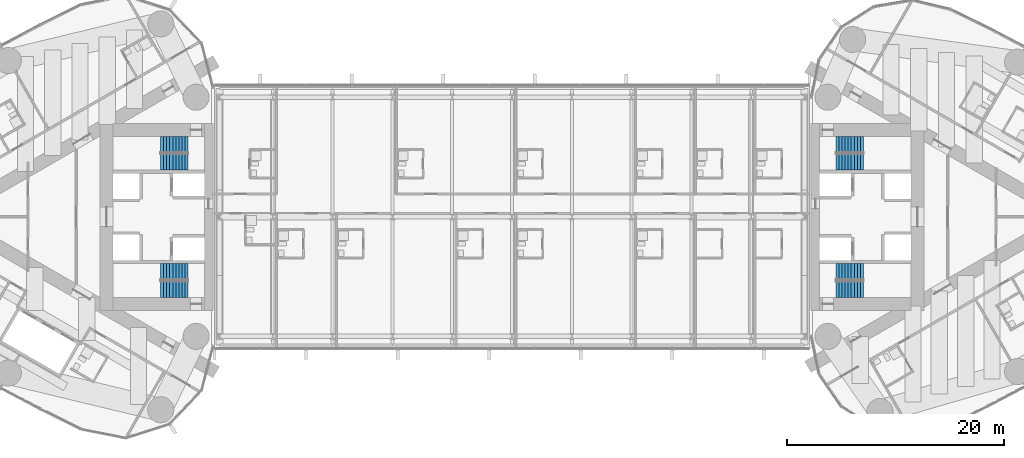
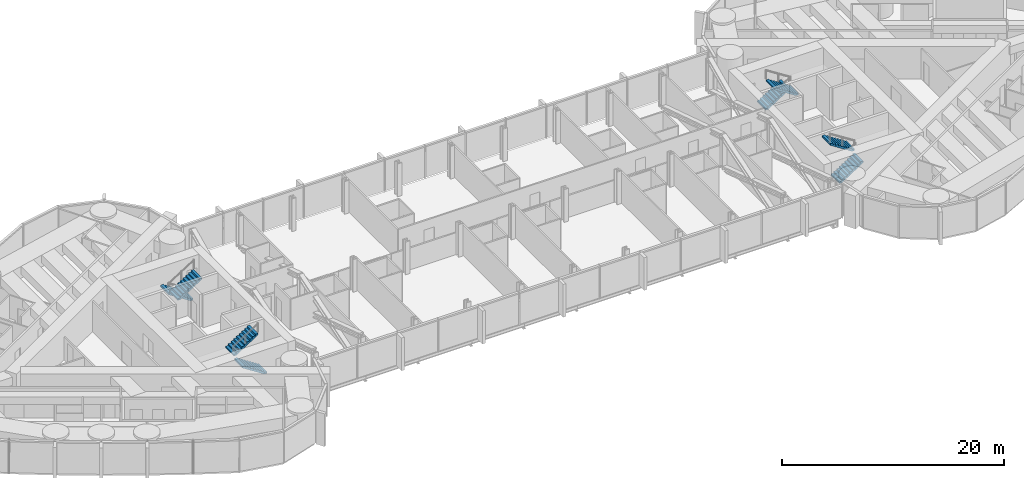
# One storey, part 22 of 24: 8 stair flights, 4 elements without a shape of their own.
"""IFC4 building model written with IfcOpenShell, lengths in metres."""

from ifc_helpers import new_model, si_unit, direction, frame, origin, place, context, subcontext, project, spatial, polyline, outline, extrude, material, type_object, element, aggregate, save


model = new_model("IFC4")

# Units and contexts
model_context = context("Model", 3, precision=1e-05, world=origin(), true_north=direction((0.0, 1.0)))
body_context = subcontext(model_context, "Body", "Model", "MODEL_VIEW")
ifc_project = project(units=[si_unit("LENGTHUNIT", "METRE"), si_unit("AREAUNIT", "SQUARE_METRE"), si_unit("VOLUMEUNIT", "CUBIC_METRE"), si_unit("PLANEANGLEUNIT", "RADIAN"), si_unit("MASSUNIT", "GRAM", prefix="KILO")], contexts=[model_context])

# Site, building, storey
site_placement = place(None, origin())
site = spatial("IfcSite", under=ifc_project, at=site_placement, CompositionType="ELEMENT")
building_placement = place(site_placement, origin())
building = spatial("IfcBuilding", under=site, at=building_placement, Name="Lancet Gate Hotel", CompositionType="ELEMENT")
storey_placement = place(building_placement, frame((0.0, 0.0, 244.10009765625)))
storey = spatial("IfcBuildingStorey", under=building, at=storey_placement, Name="L65", CompositionType="ELEMENT", Elevation=244.10009765625)

# Stair, stair flights
ifc_material_1 = material(Name="Exit stair 20 risers 1500")
stair_type = type_object("IfcStairType", Name="Exit stair 20 risers 1500", PredefinedType="HALF_TURN_STAIR", material=ifc_material_1)
stair_1_placement = place(storey_placement, origin())
stair_1 = element("IfcStair", 1, at=stair_1_placement, inside=storey, type_object=stair_type, Name="T1 stair 1 L65", PredefinedType="HALF_TURN_STAIR")
ifc_material_2 = material(Name="Stair flight 10 risers 180 rise 1500")
stair_flight_type = type_object("IfcStairFlightType", Name="Stair flight 10 risers 180 rise 1500", PredefinedType="STRAIGHT", material=ifc_material_2)
stair_flight_1_placement = place(storey_placement, frame((-29.800048828125, 6.64990234375, 0.0), z_axis=(0.0, 0.0, 1.0), x_axis=(-1.0, 0.0, 0.0)))
stair_flight_1 = element("IfcStairFlight", 2, at=stair_flight_1_placement, type_object=stair_flight_type, Name="ST1 flight 1", NumberOfRisers=10, NumberOfTreads=9, PredefinedType="STRAIGHT", RiserHeight=0.18, TreadLength=0.28, context=body_context, shape_type="SweptSolid", body=[
    extrude(outline(polyline([(0.0, 0.0), (0.0, 0.179931640625), (0.280029296875, 0.179931640625), (0.280029296875, 0.360107421875), (0.56005859375, 0.360107421875), (0.56005859375, 0.5400390625), (0.840087890625, 0.5400390625), (0.840087890625, 0.719970703125), (1.1201171875, 0.719970703125), (1.1201171875, 0.89990234375), (1.39990234375, 0.89990234375), (1.39990234375, 1.080078125), (1.679931640625, 1.080078125), (1.679931640625, 1.260009765625), (1.9599609375, 1.260009765625), (1.9599609375, 1.43994140625), (2.239990234375, 1.43994140625), (2.239990234375, 1.6201171875), (2.52001953125, 1.6201171875), (2.52001953125, 1.800048828125), (2.52001953125, 1.44189453125), (0.277099609375, 0.0), (0.0, 0.0)])), frame((0.0, 0.75, 0.0), z_axis=(0.0, -1.0, 0.0), x_axis=(1.0, 0.0, 0.0)), (0.0, 0.0, 1.0), 1.5),
])
stair_flight_2_placement = place(storey_placement, frame((-32.320068359375, 5.050048828125, 1.7998046875), z_axis=(0.0, 0.0, 1.0), x_axis=(1.0, 0.0, 0.0)))
stair_flight_2 = element("IfcStairFlight", 3, at=stair_flight_2_placement, type_object=stair_flight_type, Name="ST1 flight 2", NumberOfRisers=10, NumberOfTreads=9, PredefinedType="STRAIGHT", RiserHeight=0.18, TreadLength=0.28, context=body_context, shape_type="SweptSolid", body=[
    extrude(outline(polyline([(0.0, 0.0), (0.0, 0.179931640625), (0.280029296875, 0.179931640625), (0.280029296875, 0.360107421875), (0.56005859375, 0.360107421875), (0.56005859375, 0.5400390625), (0.840087890625, 0.5400390625), (0.840087890625, 0.719970703125), (1.1201171875, 0.719970703125), (1.1201171875, 0.89990234375), (1.39990234375, 0.89990234375), (1.39990234375, 1.080078125), (1.679931640625, 1.080078125), (1.679931640625, 1.260009765625), (1.9599609375, 1.260009765625), (1.9599609375, 1.43994140625), (2.239990234375, 1.43994140625), (2.239990234375, 1.6201171875), (2.52001953125, 1.6201171875), (2.52001953125, 1.800048828125), (2.52001953125, 1.44189453125), (0.277099609375, 0.0), (0.0, 0.0)])), frame((0.0, 0.75, 0.0), z_axis=(0.0, -1.0, 0.0), x_axis=(1.0, 0.0, 0.0)), (0.0, 0.0, 1.0), 1.5),
])
aggregate(stair_1, [stair_flight_1, stair_flight_2])

stair_2_placement = place(storey_placement, origin())
stair_2 = element("IfcStair", 4, at=stair_2_placement, inside=storey, type_object=stair_type, Name="T1 stair 2 L65", PredefinedType="HALF_TURN_STAIR")
stair_flight_3_placement = place(storey_placement, frame((-29.800048828125, -6.64990234375, 0.0), z_axis=(0.0, 0.0, 1.0), x_axis=(-1.0, 0.0, 0.0)))
stair_flight_3 = element("IfcStairFlight", 5, at=stair_flight_3_placement, type_object=stair_flight_type, Name="ST2 flight 1", NumberOfRisers=10, NumberOfTreads=9, PredefinedType="STRAIGHT", RiserHeight=0.18, TreadLength=0.28, context=body_context, shape_type="SweptSolid", body=[
    extrude(outline(polyline([(0.0, 0.0), (0.0, 0.179931640625), (0.280029296875, 0.179931640625), (0.280029296875, 0.360107421875), (0.56005859375, 0.360107421875), (0.56005859375, 0.5400390625), (0.840087890625, 0.5400390625), (0.840087890625, 0.719970703125), (1.1201171875, 0.719970703125), (1.1201171875, 0.89990234375), (1.39990234375, 0.89990234375), (1.39990234375, 1.080078125), (1.679931640625, 1.080078125), (1.679931640625, 1.260009765625), (1.9599609375, 1.260009765625), (1.9599609375, 1.43994140625), (2.239990234375, 1.43994140625), (2.239990234375, 1.6201171875), (2.52001953125, 1.6201171875), (2.52001953125, 1.800048828125), (2.52001953125, 1.44189453125), (0.277099609375, 0.0), (0.0, 0.0)])), frame((0.0, 0.75, 0.0), z_axis=(0.0, -1.0, 0.0), x_axis=(1.0, 0.0, 0.0)), (0.0, 0.0, 1.0), 1.5),
])
stair_flight_4_placement = place(storey_placement, frame((-32.320068359375, -5.050048828125, 1.7998046875), z_axis=(0.0, 0.0, 1.0), x_axis=(1.0, 0.0, 0.0)))
stair_flight_4 = element("IfcStairFlight", 6, at=stair_flight_4_placement, type_object=stair_flight_type, Name="ST2 flight 2", NumberOfRisers=10, NumberOfTreads=9, PredefinedType="STRAIGHT", RiserHeight=0.18, TreadLength=0.28, context=body_context, shape_type="SweptSolid", body=[
    extrude(outline(polyline([(0.0, 0.0), (0.0, 0.179931640625), (0.280029296875, 0.179931640625), (0.280029296875, 0.360107421875), (0.56005859375, 0.360107421875), (0.56005859375, 0.5400390625), (0.840087890625, 0.5400390625), (0.840087890625, 0.719970703125), (1.1201171875, 0.719970703125), (1.1201171875, 0.89990234375), (1.39990234375, 0.89990234375), (1.39990234375, 1.080078125), (1.679931640625, 1.080078125), (1.679931640625, 1.260009765625), (1.9599609375, 1.260009765625), (1.9599609375, 1.43994140625), (2.239990234375, 1.43994140625), (2.239990234375, 1.6201171875), (2.52001953125, 1.6201171875), (2.52001953125, 1.800048828125), (2.52001953125, 1.44189453125), (0.277099609375, 0.0), (0.0, 0.0)])), frame((0.0, 0.75, 0.0), z_axis=(0.0, -1.0, 0.0), x_axis=(1.0, 0.0, 0.0)), (0.0, 0.0, 1.0), 1.5),
])
aggregate(stair_2, [stair_flight_3, stair_flight_4])

stair_3_placement = place(storey_placement, origin())
stair_3 = element("IfcStair", 7, at=stair_3_placement, inside=storey, type_object=stair_type, Name="T2 stair 1 L65", PredefinedType="HALF_TURN_STAIR")
stair_flight_5_placement = place(storey_placement, frame((29.800048828125, -6.64990234375, 0.0), z_axis=(0.0, 0.0, 1.0), x_axis=(1.0, 0.0, 0.0)))
stair_flight_5 = element("IfcStairFlight", 8, at=stair_flight_5_placement, type_object=stair_flight_type, Name="ST3 flight 1", NumberOfRisers=10, NumberOfTreads=9, PredefinedType="STRAIGHT", RiserHeight=0.18, TreadLength=0.28, context=body_context, shape_type="SweptSolid", body=[
    extrude(outline(polyline([(0.0, 0.0), (0.0, 0.179931640625), (0.280029296875, 0.179931640625), (0.280029296875, 0.360107421875), (0.56005859375, 0.360107421875), (0.56005859375, 0.5400390625), (0.840087890625, 0.5400390625), (0.840087890625, 0.719970703125), (1.1201171875, 0.719970703125), (1.1201171875, 0.89990234375), (1.39990234375, 0.89990234375), (1.39990234375, 1.080078125), (1.679931640625, 1.080078125), (1.679931640625, 1.260009765625), (1.9599609375, 1.260009765625), (1.9599609375, 1.43994140625), (2.239990234375, 1.43994140625), (2.239990234375, 1.6201171875), (2.52001953125, 1.6201171875), (2.52001953125, 1.800048828125), (2.52001953125, 1.44189453125), (0.277099609375, 0.0), (0.0, 0.0)])), frame((0.0, 0.75, 0.0), z_axis=(0.0, -1.0, 0.0), x_axis=(1.0, 0.0, 0.0)), (0.0, 0.0, 1.0), 1.5),
])
stair_flight_6_placement = place(storey_placement, frame((32.320068359375, -5.050048828125, 1.7998046875), z_axis=(0.0, 0.0, 1.0), x_axis=(-1.0, 0.0, 0.0)))
stair_flight_6 = element("IfcStairFlight", 9, at=stair_flight_6_placement, type_object=stair_flight_type, Name="ST3 flight 2", NumberOfRisers=10, NumberOfTreads=9, PredefinedType="STRAIGHT", RiserHeight=0.18, TreadLength=0.28, context=body_context, shape_type="SweptSolid", body=[
    extrude(outline(polyline([(0.0, 0.0), (0.0, 0.179931640625), (0.280029296875, 0.179931640625), (0.280029296875, 0.360107421875), (0.56005859375, 0.360107421875), (0.56005859375, 0.5400390625), (0.840087890625, 0.5400390625), (0.840087890625, 0.719970703125), (1.1201171875, 0.719970703125), (1.1201171875, 0.89990234375), (1.39990234375, 0.89990234375), (1.39990234375, 1.080078125), (1.679931640625, 1.080078125), (1.679931640625, 1.260009765625), (1.9599609375, 1.260009765625), (1.9599609375, 1.43994140625), (2.239990234375, 1.43994140625), (2.239990234375, 1.6201171875), (2.52001953125, 1.6201171875), (2.52001953125, 1.800048828125), (2.52001953125, 1.44189453125), (0.277099609375, 0.0), (0.0, 0.0)])), frame((0.0, 0.75, 0.0), z_axis=(0.0, -1.0, 0.0), x_axis=(1.0, 0.0, 0.0)), (0.0, 0.0, 1.0), 1.5),
])
aggregate(stair_3, [stair_flight_5, stair_flight_6])

stair_4_placement = place(storey_placement, origin())
stair_4 = element("IfcStair", 10, at=stair_4_placement, inside=storey, type_object=stair_type, Name="T2 stair 2 L65", PredefinedType="HALF_TURN_STAIR")
stair_flight_7_placement = place(storey_placement, frame((29.800048828125, 6.64990234375, 0.0), z_axis=(0.0, 0.0, 1.0), x_axis=(1.0, 0.0, 0.0)))
stair_flight_7 = element("IfcStairFlight", 11, at=stair_flight_7_placement, type_object=stair_flight_type, Name="ST4 flight 1", NumberOfRisers=10, NumberOfTreads=9, PredefinedType="STRAIGHT", RiserHeight=0.18, TreadLength=0.28, context=body_context, shape_type="SweptSolid", body=[
    extrude(outline(polyline([(0.0, 0.0), (0.0, 0.179931640625), (0.280029296875, 0.179931640625), (0.280029296875, 0.360107421875), (0.56005859375, 0.360107421875), (0.56005859375, 0.5400390625), (0.840087890625, 0.5400390625), (0.840087890625, 0.719970703125), (1.1201171875, 0.719970703125), (1.1201171875, 0.89990234375), (1.39990234375, 0.89990234375), (1.39990234375, 1.080078125), (1.679931640625, 1.080078125), (1.679931640625, 1.260009765625), (1.9599609375, 1.260009765625), (1.9599609375, 1.43994140625), (2.239990234375, 1.43994140625), (2.239990234375, 1.6201171875), (2.52001953125, 1.6201171875), (2.52001953125, 1.800048828125), (2.52001953125, 1.44189453125), (0.277099609375, 0.0), (0.0, 0.0)])), frame((0.0, 0.75, 0.0), z_axis=(0.0, -1.0, 0.0), x_axis=(1.0, 0.0, 0.0)), (0.0, 0.0, 1.0), 1.5),
])
stair_flight_8_placement = place(storey_placement, frame((32.320068359375, 5.050048828125, 1.7998046875), z_axis=(0.0, 0.0, 1.0), x_axis=(-1.0, 0.0, 0.0)))
stair_flight_8 = element("IfcStairFlight", 12, at=stair_flight_8_placement, type_object=stair_flight_type, Name="ST4 flight 2", NumberOfRisers=10, NumberOfTreads=9, PredefinedType="STRAIGHT", RiserHeight=0.18, TreadLength=0.28, context=body_context, shape_type="SweptSolid", body=[
    extrude(outline(polyline([(0.0, 0.0), (0.0, 0.179931640625), (0.280029296875, 0.179931640625), (0.280029296875, 0.360107421875), (0.56005859375, 0.360107421875), (0.56005859375, 0.5400390625), (0.840087890625, 0.5400390625), (0.840087890625, 0.719970703125), (1.1201171875, 0.719970703125), (1.1201171875, 0.89990234375), (1.39990234375, 0.89990234375), (1.39990234375, 1.080078125), (1.679931640625, 1.080078125), (1.679931640625, 1.260009765625), (1.9599609375, 1.260009765625), (1.9599609375, 1.43994140625), (2.239990234375, 1.43994140625), (2.239990234375, 1.6201171875), (2.52001953125, 1.6201171875), (2.52001953125, 1.800048828125), (2.52001953125, 1.44189453125), (0.277099609375, 0.0), (0.0, 0.0)])), frame((0.0, 0.75, 0.0), z_axis=(0.0, -1.0, 0.0), x_axis=(1.0, 0.0, 0.0)), (0.0, 0.0, 1.0), 1.5),
])
aggregate(stair_4, [stair_flight_7, stair_flight_8])

save(model, "model.ifc")
